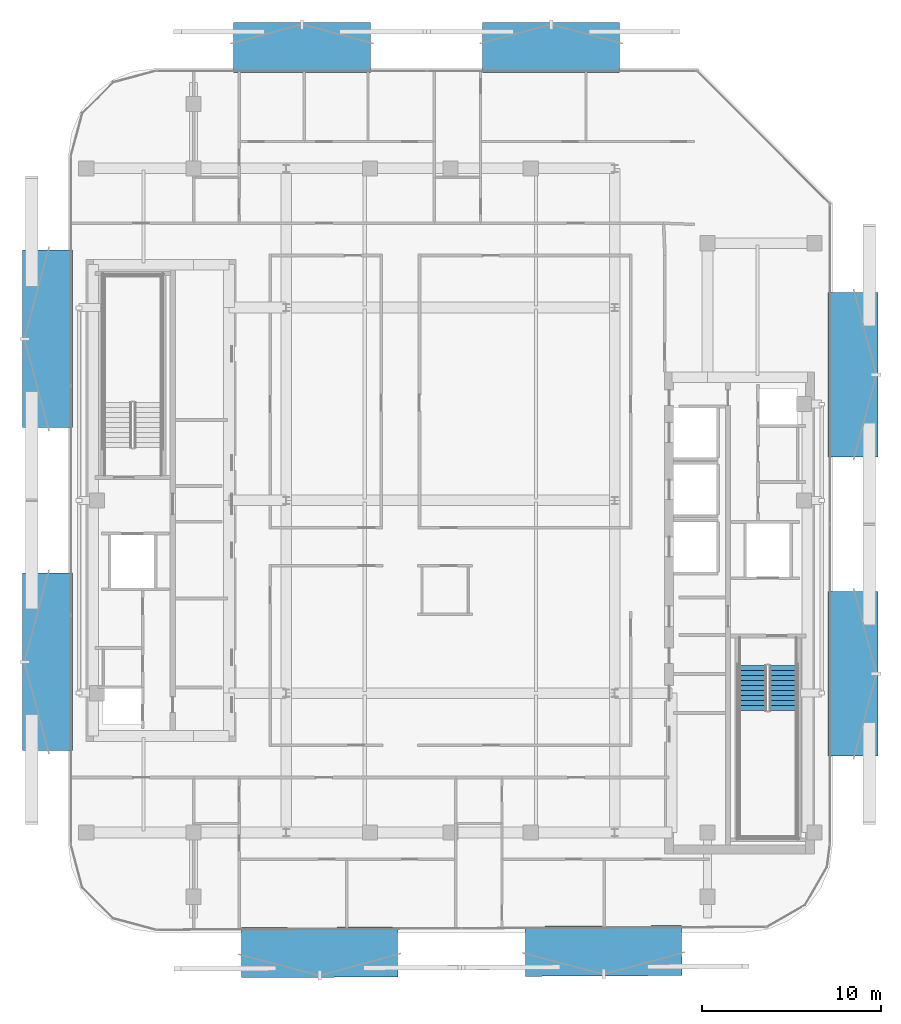
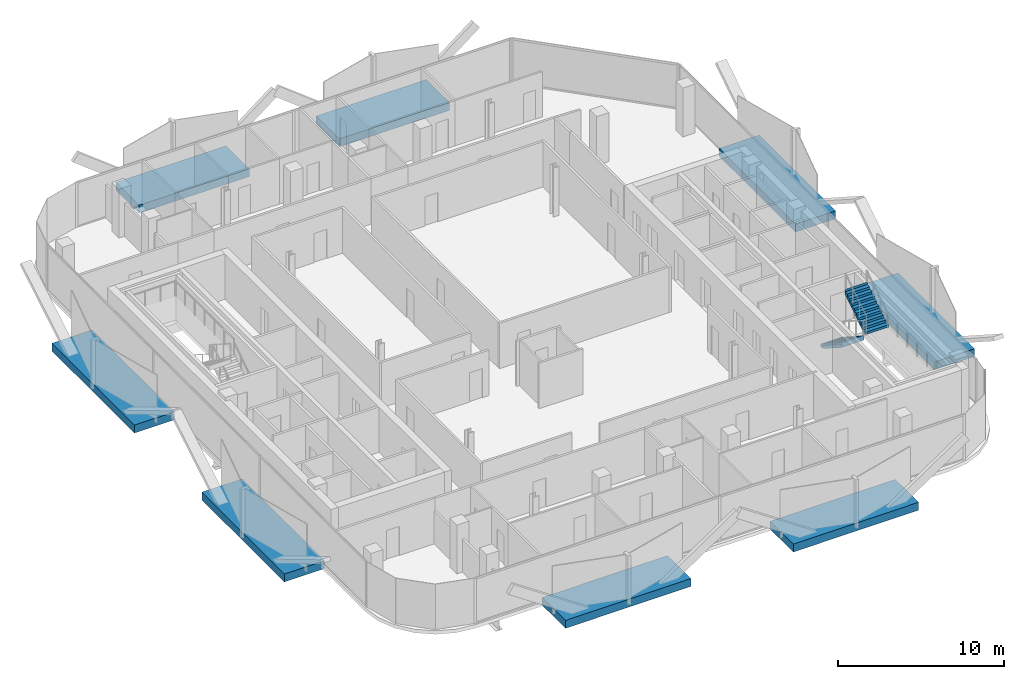
# One storey, part 7 of 15: 8 discrete accessories, 2 stair flights, 1 element without a shape of its own.
"""IFC4 building model written with IfcOpenShell, lengths in metres."""

from ifc_helpers import new_model, si_unit, direction, frame, origin, origin_2d, place, context, subcontext, project, spatial, polyline, rectangle, outline, extrude, material, layer, layer_set, type_object, element, aggregate, save


model = new_model("IFC4")

# Units and contexts
model_context = context("Model", 3, precision=1e-05, world=origin(), true_north=direction((0.0, 1.0)))
body_context = subcontext(model_context, "Body", "Model", "MODEL_VIEW")
ifc_project = project(units=[si_unit("LENGTHUNIT", "METRE"), si_unit("AREAUNIT", "SQUARE_METRE"), si_unit("VOLUMEUNIT", "CUBIC_METRE"), si_unit("PLANEANGLEUNIT", "RADIAN"), si_unit("MASSUNIT", "GRAM", prefix="KILO")], contexts=[model_context])

# Site, building, storey
site_placement = place(None, origin())
site = spatial("IfcSite", under=ifc_project, at=site_placement, CompositionType="ELEMENT")
building_placement = place(site_placement, origin())
building = spatial("IfcBuilding", under=site, at=building_placement, Name="Khairoan Windgate Tower", CompositionType="ELEMENT")
storey_placement = place(building_placement, frame((0.0, 0.0, 262.0)))
storey = spatial("IfcBuildingStorey", under=building, at=storey_placement, Name="L62", CompositionType="ELEMENT", Elevation=262.0)

# Stair, stair flights
ifc_material_1 = material(Name="Concrete C40/50", Category="concrete")
stair_type = type_object("IfcStairType", Name="Tower Core Dog-Leg Stair ST-T1 1560mm", PredefinedType="HALF_TURN_STAIR", material=ifc_material_1)
stair_placement = place(storey_placement, origin())
stair = element("IfcStair", 1, at=stair_placement, inside=storey, type_object=stair_type, Name="L62 Stair ST1", PredefinedType="HALF_TURN_STAIR")
ifc_material_2 = material(Name="Concrete C40/50", Category="concrete")
ifc_layer = layer(ifc_material_2, 0.14990234375, Name="Concrete C40/50")
ifc_layer_set = layer_set([ifc_layer], Name="Concrete C40/50")
stair_flight_type = type_object("IfcStairFlightType", Name="Tower Core Stair Flight STF-1560", PredefinedType="STRAIGHT", material=ifc_layer_set)
stair_flight_1_placement = place(storey_placement, frame((16.929931640625, -9.260009765625, 0.0), z_axis=(0.0, 0.0, 1.0), x_axis=(0.0, -1.0, 0.0)))
stair_flight_1 = element("IfcStairFlight", 2, at=stair_flight_1_placement, type_object=stair_flight_type, Name="ST1 flight 1", NumberOfRisers=10, NumberOfTreads=9, PredefinedType="STRAIGHT", RiserHeight=0.18, TreadLength=0.28, context=body_context, shape_type="SweptSolid", body=[
    extrude(outline(polyline([(-0.00390625, 0.0), (-0.00390625, 0.179931640625), (0.0, 0.179931640625), (0.280029296875, 0.179931640625), (0.280029296875, 0.360107421875), (0.56005859375, 0.360107421875), (0.56005859375, 0.5400390625), (0.840087890625, 0.5400390625), (0.840087890625, 0.719970703125), (1.1201171875, 0.719970703125), (1.1201171875, 0.89990234375), (1.39990234375, 0.89990234375), (1.39990234375, 1.080078125), (1.679931640625, 1.080078125), (1.679931640625, 1.260009765625), (1.9599609375, 1.260009765625), (1.9599609375, 1.43994140625), (2.239990234375, 1.43994140625), (2.239990234375, 1.6201171875), (2.52001953125, 1.6201171875), (2.52001953125, 1.800048828125), (2.52392578125, 1.800048828125), (2.52392578125, 1.44189453125), (0.277099609375, 0.0), (-0.00390625, 0.0)])), frame((0.0, 0.780029296875, 0.0), z_axis=(0.0, -1.0, 0.0), x_axis=(1.0, 0.0, 0.0)), (0.0, 0.0, 1.0), 1.56005859375),
])
stair_flight_2_placement = place(storey_placement, frame((18.639892578125, -11.780029296875, 1.800048828125), z_axis=(0.0, 0.0, 1.0), x_axis=(0.0, 1.0, 0.0)))
stair_flight_2 = element("IfcStairFlight", 3, at=stair_flight_2_placement, type_object=stair_flight_type, Name="ST1 flight 2", NumberOfRisers=10, NumberOfTreads=9, PredefinedType="STRAIGHT", RiserHeight=0.18, TreadLength=0.28, context=body_context, shape_type="SweptSolid", body=[
    extrude(outline(polyline([(-0.00390625, 0.0), (-0.00390625, 0.179931640625), (0.0, 0.179931640625), (0.280029296875, 0.179931640625), (0.280029296875, 0.360107421875), (0.56005859375, 0.360107421875), (0.56005859375, 0.5400390625), (0.840087890625, 0.5400390625), (0.840087890625, 0.719970703125), (1.1201171875, 0.719970703125), (1.1201171875, 0.89990234375), (1.39990234375, 0.89990234375), (1.39990234375, 1.080078125), (1.679931640625, 1.080078125), (1.679931640625, 1.260009765625), (1.9599609375, 1.260009765625), (1.9599609375, 1.43994140625), (2.239990234375, 1.43994140625), (2.239990234375, 1.6201171875), (2.52001953125, 1.6201171875), (2.52001953125, 1.800048828125), (2.52392578125, 1.800048828125), (2.52392578125, 1.44189453125), (0.277099609375, 0.0), (-0.00390625, 0.0)])), frame((0.0, 0.780029296875, 0.0), z_axis=(0.0, -1.0, 0.0), x_axis=(1.0, 0.0, 0.0)), (0.0, 0.0, 1.0), 1.56005859375),
])
aggregate(stair, [stair_flight_1, stair_flight_2])

# Discrete accessories
ifc_material_3 = material(Name="Steel S355", Category="steel")
discrete_accessory_type = type_object("IfcDiscreteAccessoryType", Name="Solar Screen Outrigger Slab Bracket SSB-1", PredefinedType="BRACKET", material=ifc_material_3)
for number, where, z_axis, x_axis, name in (
    (4, (8.582275390625, -25.240234375, -0.419921875), (0.0, 0.0, 1.0), (-0.999988896716, -0.004712371539, 0.0), "L62 Solar Screen Outrigger Bracket 425"),
    (5, (-7.3291015625, -25.31640625, -0.419921875), (0.0, 0.0, 1.0), (-0.999988896716, -0.004712371539, 0.0), "L62 Solar Screen Outrigger Bracket 426"),
):
    element("IfcDiscreteAccessory", number, at=place(storey_placement, frame(where, z_axis=z_axis, x_axis=x_axis)), inside=storey, type_object=discrete_accessory_type, Name=name, PredefinedType="BRACKET", context=body_context, shape_type="SweptSolid", body=[
        extrude(rectangle(XDim=8.7509765625, YDim=2.800048828125, at=origin_2d()), origin(), (0.0, 0.0, 1.0), 0.580078125),
    ])
for number, where, z_axis, x_axis, name in (
    (6, (-22.56005859375, -9.04541015625, -0.419921875), (0.0, 0.0, 1.0), (0.0, 1.0, 0.0), "L62 Solar Screen Outrigger Bracket 427"),
    (7, (-22.56005859375, 9.04541015625, -0.419921875), (0.0, 0.0, 1.0), (0.0, 1.0, 0.0), "L62 Solar Screen Outrigger Bracket 428"),
):
    element("IfcDiscreteAccessory", number, at=place(storey_placement, frame(where, z_axis=z_axis, x_axis=x_axis)), inside=storey, type_object=discrete_accessory_type, Name=name, PredefinedType="BRACKET", context=body_context, shape_type="SweptSolid", body=[
        extrude(rectangle(XDim=9.949951171875, YDim=2.800048828125, at=origin_2d()), origin(), (0.0, 0.0, 1.0), 0.580078125),
    ])
for number, where, z_axis, x_axis, name in (
    (8, (-8.3125, 25.360107421875, -0.419921875), (0.0, 0.0, 1.0), (1.0, 0.0, 0.0), "L62 Solar Screen Outrigger Bracket 429"),
    (9, (5.643798828125, 25.360107421875, -0.419921875), (0.0, 0.0, 1.0), (1.0, 0.0, 0.0), "L62 Solar Screen Outrigger Bracket 430"),
):
    element("IfcDiscreteAccessory", number, at=place(storey_placement, frame(where, z_axis=z_axis, x_axis=x_axis)), inside=storey, type_object=discrete_accessory_type, Name=name, PredefinedType="BRACKET", context=body_context, shape_type="SweptSolid", body=[
        extrude(rectangle(XDim=7.676025390625, YDim=2.800048828125, at=origin_2d()), origin(), (0.0, 0.0, 1.0), 0.580078125),
    ])
for number, where, z_axis, x_axis, name in (
    (10, (22.56005859375, 7.043701171875, -0.419921875), (0.0, 0.0, 1.0), (0.0, -1.0, 0.0), "L62 Solar Screen Outrigger Bracket 431"),
    (11, (22.56005859375, -9.712646484375, -0.419921875), (0.0, 0.0, 1.0), (0.0, -1.0, 0.0), "L62 Solar Screen Outrigger Bracket 432"),
):
    element("IfcDiscreteAccessory", number, at=place(storey_placement, frame(where, z_axis=z_axis, x_axis=x_axis)), inside=storey, type_object=discrete_accessory_type, Name=name, PredefinedType="BRACKET", context=body_context, shape_type="SweptSolid", body=[
        extrude(rectangle(XDim=9.216064453125, YDim=2.800048828125, at=origin_2d()), origin(), (0.0, 0.0, 1.0), 0.580078125),
    ])

save(model, "model.ifc")
